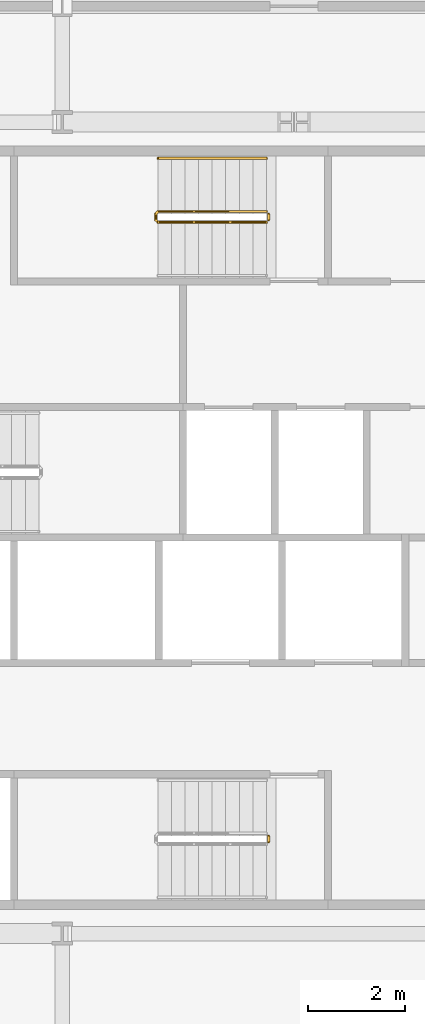
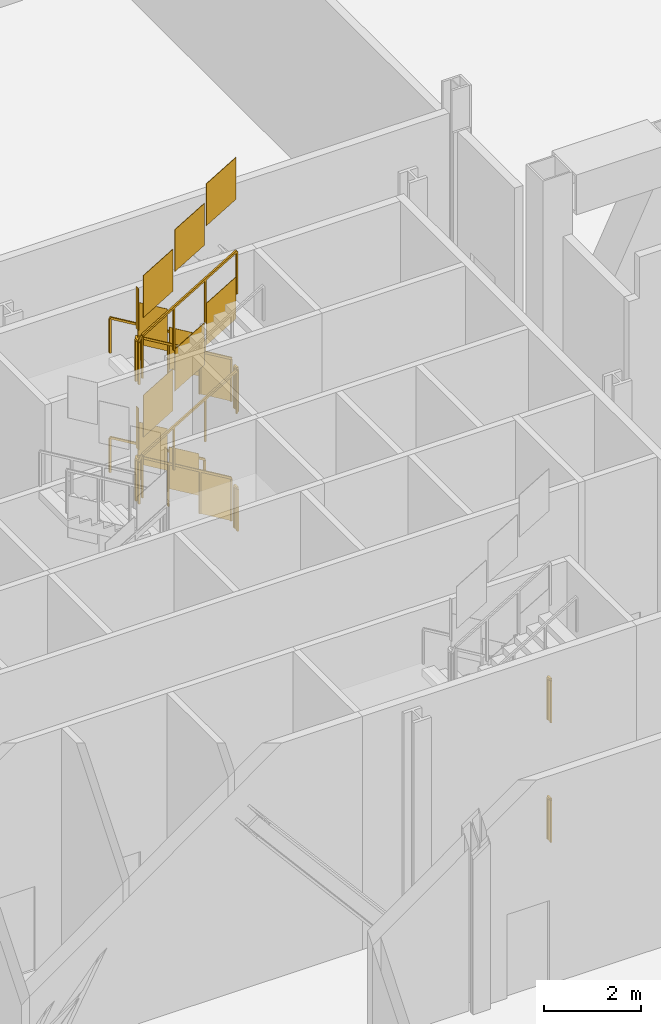
# One storey, part 17 of 17: 8 railings.
"""IFC4 building model written with IfcOpenShell, lengths in metres."""

import ifcopenshell
import ifcopenshell.guid

model = None  # the IFC model being written
_history = None  # IfcOwnerHistory: only IFC2X3 demands one
_inside = {}  # id of a spatial element -> (the spatial element, [elements in it])
_under = {}  # id of a project, library or spatial element -> (it, [spatial elements below it])
_declared = {}  # id of a project -> (the project, [libraries it declares])
_typed = {}  # id of a type object -> (the type object, [elements of that type])
_made_of = {}  # id of a material, layer set ... -> (it, [elements and type objects made of it])


def new_model(schema):
    """Start an empty IFC model of exactly this schema.

    Asked for "IFC4X3", IfcOpenShell would pick the latest addendum, in which some entities
    have other attributes; the version numbers below select the first issue.
    IFC2X3 requires an IfcOwnerHistory on every rooted entity: one is made here for all.
    """
    global model, _history
    if schema == "IFC4X3":
        model = ifcopenshell.file(schema_version=(4, 3, 0, 0))
    else:
        model = ifcopenshell.file(schema=schema)
    _inside.clear()
    _under.clear()
    _declared.clear()
    _typed.clear()
    _made_of.clear()
    _history = None
    if model.schema == "IFC2X3":
        org = make("IfcOrganization", Name="unknown")
        user = make(
            "IfcPersonAndOrganization",
            ThePerson=make("IfcPerson", FamilyName="unknown"),
            TheOrganization=org,
        )
        app = make(
            "IfcApplication",
            ApplicationDeveloper=org,
            Version="unknown",
            ApplicationFullName="unknown",
            ApplicationIdentifier="unknown",
        )
        _history = make(
            "IfcOwnerHistory",
            OwningUser=user,
            OwningApplication=app,
            ChangeAction="ADDED",
            CreationDate=0,
        )
    return model


def make(cls, **values):
    """One entity of the class cls with the attributes given. An attribute that is None is left unset."""
    return model.create_entity(
        cls, **{name: value for name, value in values.items() if value is not None}
    )


def rooted(cls, **values):
    """An entity with a GlobalId (a new one), such as an element, a storey or a relation."""
    return make(cls, GlobalId=ifcopenshell.guid.new(), OwnerHistory=_history, **values)


def si_unit(unit_type, name, prefix=None):
    """IfcSIUnit, for example si_unit("LENGTHUNIT", "METRE", prefix="MILLI")."""
    return make("IfcSIUnit", UnitType=unit_type, Prefix=prefix, Name=name)


def assignment(units):
    """IfcUnitAssignment: the units of a project."""
    return None if units is None else make("IfcUnitAssignment", Units=units)


def point(xyz):
    """IfcCartesianPoint."""
    return None if xyz is None else make("IfcCartesianPoint", Coordinates=xyz)


def direction(xyz):
    """IfcDirection."""
    return None if xyz is None else make("IfcDirection", DirectionRatios=xyz)


def frame(location, z_axis=None, x_axis=None):
    """IfcAxis2Placement3D, a coordinate frame: its origin and axes. An axis left out is left unset."""
    return make(
        "IfcAxis2Placement3D",
        Location=point(location),
        Axis=direction(z_axis),
        RefDirection=direction(x_axis),
    )


def frame_2d(location, x_axis=None):
    """IfcAxis2Placement2D, a coordinate frame in the plane: its origin and x axis."""
    return make(
        "IfcAxis2Placement2D", Location=point(location), RefDirection=direction(x_axis)
    )


def origin():
    """The frame at (0, 0, 0) with its axes left unset."""
    return frame((0.0, 0.0, 0.0))


def origin_2d():
    """The frame at (0, 0) in the plane with its x axis left unset."""
    return frame_2d((0.0, 0.0))


def place(relative_to, where):
    """IfcLocalPlacement: puts the frame where relative to a parent placement (None: the world)."""
    return make(
        "IfcLocalPlacement", PlacementRelTo=relative_to, RelativePlacement=where
    )


def context(
    kind, dimensions, precision=None, world=None, true_north=None, identifier=None
):
    """IfcGeometricRepresentationContext, for example the 3D "Model" context."""
    return make(
        "IfcGeometricRepresentationContext",
        ContextIdentifier=identifier,
        ContextType=kind,
        CoordinateSpaceDimension=dimensions,
        Precision=precision,
        WorldCoordinateSystem=world,
        TrueNorth=true_north,
    )


def subcontext(parent, identifier, kind, view, scale=None):
    """IfcGeometricRepresentationSubContext, for example "Body" below "Model"."""
    return make(
        "IfcGeometricRepresentationSubContext",
        ContextIdentifier=identifier,
        ContextType=kind,
        ParentContext=parent,
        TargetScale=scale,
        TargetView=view,
    )


def project(units=None, contexts=None):
    """IfcProject with its units and contexts."""
    return rooted(
        "IfcProject",
        Name="project",
        RepresentationContexts=contexts,
        UnitsInContext=assignment(units),
    )


def spatial(cls, under=None, at=None, **own):
    """A site, building, storey or space (cls), placed at a placement, below another one or the project."""
    s = rooted(cls, ObjectPlacement=at, **own)
    if under is not None:
        _under.setdefault(under.id(), (under, []))[1].append(s)
    return s


def polyline(points):
    """IfcPolyline through the points."""
    return make("IfcPolyline", Points=[point(p) for p in points])


def profile(cls, at=None, kind="AREA", **sizes):
    """A parametric profile (cls). Its sizes go by their IFC names, for example OverallWidth=200.0."""
    return make(cls, ProfileType=kind, Position=at, **sizes)


def rectangle(**sizes):
    """IfcRectangleProfileDef."""
    return profile("IfcRectangleProfileDef", **sizes)


def outline(outer, holes=None, kind="AREA"):
    """IfcArbitraryClosedProfileDef: a profile drawn as a closed curve; with holes, ...WithVoids."""
    if holes is None:
        return make("IfcArbitraryClosedProfileDef", ProfileType=kind, OuterCurve=outer)
    return make(
        "IfcArbitraryProfileDefWithVoids",
        ProfileType=kind,
        OuterCurve=outer,
        InnerCurves=holes,
    )


def extrude(swept, where, along, depth):
    """IfcExtrudedAreaSolid: the profile swept, set in the frame where, extruded along a direction by depth."""
    return make(
        "IfcExtrudedAreaSolid",
        SweptArea=swept,
        Position=where,
        ExtrudedDirection=direction(along),
        Depth=depth,
    )


def shape(context_of_items, identifier, shape_type, items):
    """IfcShapeRepresentation: the items that make up one representation, for example the "Body"."""
    return make(
        "IfcShapeRepresentation",
        ContextOfItems=context_of_items,
        RepresentationIdentifier=identifier,
        RepresentationType=shape_type,
        Items=items,
    )


def material(Name=None, Category=None):
    """IfcMaterial."""
    return make("IfcMaterial", Name=Name, Category=Category)


def made_of(thing, what):
    """Note that an element or type object is made of a material, layer set ...; save() writes the relation."""
    if what is not None:
        _made_of.setdefault(what.id(), (what, []))[1].append(thing)
    return thing


def type_object(cls, material=None, **own):
    """A type object (cls), such as IfcWallType, which elements share."""
    return made_of(rooted(cls, **own), material)


def element(
    cls,
    number,
    at=None,
    inside=None,
    cuts=None,
    type_object=None,
    material=None,
    context=None,
    identifier="Body",
    shape_type=None,
    held_by="IfcProductDefinitionShape",
    body=None,
    shapes=None,
    **own,
):
    """One element of the class cls, such as IfcWall. Its Tag is "e" and its number.

    at: its placement. inside: the storey or other place that contains it. cuts: it is an
    opening in that element (IfcRelVoidsElement). A single representation is given by context,
    identifier, shape_type and body (its items); several are given by shapes. held_by: the class
    of the entity that holds the representations. save() writes the other relations.
    """
    e = rooted(cls, Tag="e%d" % number, ObjectPlacement=at, **own)
    if body is not None:
        shapes = [shape(context, identifier, shape_type, body)]
    if shapes is not None:
        e.Representation = make(held_by, Representations=shapes)
    if inside is not None:
        _inside.setdefault(inside.id(), (inside, []))[1].append(e)
    if cuts is not None:
        rooted(
            "IfcRelVoidsElement", RelatingBuildingElement=cuts, RelatedOpeningElement=e
        )
    if type_object is not None:
        _typed.setdefault(type_object.id(), (type_object, []))[1].append(e)
    return made_of(e, material)


def aggregate(whole, parts):
    """IfcRelAggregates: a whole, such as a stair, and the parts it consists of."""
    return rooted("IfcRelAggregates", RelatingObject=whole, RelatedObjects=parts)


def save(model, path):
    """Write the relations noted so far, then the file.

    IfcRelAggregates (storeys below a building ...), IfcRelContainedInSpatialStructure (elements
    in a storey), IfcRelDefinesByType, IfcRelAssociatesMaterial and IfcRelDeclares: one each for
    every whole, place, type object, material and project.
    """
    for whole, parts in _under.values():
        aggregate(whole, parts)
    for where, things in _inside.values():
        rooted(
            "IfcRelContainedInSpatialStructure",
            RelatedElements=things,
            RelatingStructure=where,
        )
    for kind, things in _typed.values():
        rooted("IfcRelDefinesByType", RelatedObjects=things, RelatingType=kind)
    for what, things in _made_of.values():
        rooted("IfcRelAssociatesMaterial", RelatedObjects=things, RelatingMaterial=what)
    for by, libraries in _declared.values():
        rooted("IfcRelDeclares", RelatingContext=by, RelatedDefinitions=libraries)
    model.write(path)


model = new_model("IFC4")

# Units and contexts
model_context = context("Model", 3, precision=1e-05, world=origin(), true_north=direction((0.0, 1.0)))
body_context = subcontext(model_context, "Body", "Model", "MODEL_VIEW")
ifc_project = project(units=[si_unit("LENGTHUNIT", "METRE"), si_unit("AREAUNIT", "SQUARE_METRE"), si_unit("VOLUMEUNIT", "CUBIC_METRE"), si_unit("PLANEANGLEUNIT", "RADIAN"), si_unit("MASSUNIT", "GRAM", prefix="KILO")], contexts=[model_context])

# Site, building, storey
site_placement = place(None, origin())
site = spatial("IfcSite", under=ifc_project, at=site_placement, CompositionType="ELEMENT")
building_placement = place(site_placement, origin())
building = spatial("IfcBuilding", under=site, at=building_placement, Name="Cairn Pilgrim Tower", CompositionType="ELEMENT")
storey_placement = place(building_placement, frame((0.0, 0.0, 119.39990234375)))
storey = spatial("IfcBuildingStorey", under=building, at=storey_placement, Name="L29", CompositionType="ELEMENT", Elevation=119.39990234375)

# Railings
ifc_material = material(Name="Painted steel", Category="steel")
railing_type_1 = type_object("IfcRailingType", Name="STAIR GUARD 1100", PredefinedType="GUARDRAIL", material=ifc_material)
for number, where, name in (
    (1, (11.47509765625, -3.97509765625, 3.0), "L29 ST-A stair guard 2"),
    (2, (11.47509765625, -3.97509765625, 0.0), "L29 ST-A stair guard 4"),
):
    element("IfcRailing", number, at=place(storey_placement, frame(where)), inside=storey, type_object=railing_type_1, Name=name, PredefinedType="GUARDRAIL", context=body_context, shape_type="SweptSolid", body=[
        extrude(rectangle(XDim=0.048095703125, YDim=0.048095703125, at=origin_2d()), frame((0.0, 0.0, 1.076171875), z_axis=(0.0, -1.0, 0.0), x_axis=(1.0, 0.0, 0.0)), (0.0, 0.0, 1.0), 0.125),
        extrude(rectangle(XDim=0.0419921875, YDim=0.0419921875, at=origin_2d()), origin(), (0.0, 0.0, 1.0), 1.052001953125),
        extrude(rectangle(XDim=0.0419921875, YDim=0.0419921875, at=origin_2d()), frame((0.0, -0.125, 0.0)), (0.0, 0.0, 1.0), 1.052001953125),
        extrude(outline(polyline([(0.02099609375, 0.0), (0.10400390625, 0.0), (0.10400390625, 1.052001953125), (0.02099609375, 1.052001953125), (0.02099609375, 0.0)])), frame((0.005859375, 0.0, 0.0), z_axis=(-1.0, 0.0, 0.0), x_axis=(0.0, -1.0, 0.0)), (0.0, 0.0, 1.0), 0.011962890625),
    ])
railing_1_placement = place(storey_placement, frame((11.425048828125, 8.949951171875, 0.166748046875)))
element("IfcRailing", 3, at=railing_1_placement, inside=storey, type_object=railing_type_1, Name="L29 ST-C stair guard 1", PredefinedType="GUARDRAIL", context=body_context, shape_type="SweptSolid", body=[
    extrude(rectangle(XDim=0.048095703125, YDim=0.048095703125, at=origin_2d()), frame((0.0, 0.0, 1.076171875), z_axis=(-0.859305625298, 0.0, 0.511462454469), x_axis=(0.0, -1.0, 0.0)), (0.0, 0.0, 1.0), 2.606689453125),
    extrude(rectangle(XDim=0.048095703125, YDim=0.048095703125, at=origin_2d()), frame((-2.239990234375, 0.0, 2.4091796875), z_axis=(-0.707106781187, -0.707106781187, 0.0), x_axis=(0.707106781187, -0.707106781187, 0.0)), (0.0, 0.0, 1.0), 0.07080078125),
    extrude(rectangle(XDim=0.048095703125, YDim=0.048095703125, at=origin_2d()), frame((-2.2900390625, -0.050048828125, 2.4091796875), z_axis=(0.0, -1.0, 0.0), x_axis=(1.0, 0.0, 0.0)), (0.0, 0.0, 1.0), 0.125),
    extrude(rectangle(XDim=0.048095703125, YDim=0.048095703125, at=origin_2d()), frame((-2.2900390625, -0.175048828125, 2.4091796875), z_axis=(0.276389281352, -0.275041040955, 0.920848191041), x_axis=(0.705375805398, 0.708833529934, 0.0)), (0.0, 0.0, 1.0), 0.18115234375),
    extrude(rectangle(XDim=0.048095703125, YDim=0.048095703125, at=origin_2d()), frame((-2.239990234375, -0.224853515625, 2.576171875), z_axis=(0.859305625298, 0.0, 0.511462454469), x_axis=(0.0, 1.0, 0.0)), (0.0, 0.0, 1.0), 2.606689453125),
    extrude(rectangle(XDim=0.0419921875, YDim=0.0419921875, at=origin_2d()), origin(), (0.0, 0.0, 1.0), 1.052001953125),
    extrude(rectangle(XDim=0.0419921875, YDim=0.0419921875, at=origin_2d()), frame((-0.74658203125, 0.0, 0.4443359375)), (0.0, 0.0, 1.0), 1.052001953125),
    extrude(rectangle(XDim=0.0419921875, YDim=0.0419921875, at=origin_2d()), frame((-1.493408203125, 0.0, 0.888916015625)), (0.0, 0.0, 1.0), 1.052001953125),
    extrude(rectangle(XDim=0.0419921875, YDim=0.0419921875, at=origin_2d()), frame((-2.239990234375, 0.0, 1.333251953125)), (0.0, 0.0, 1.0), 1.052001953125),
    extrude(rectangle(XDim=0.0419921875, YDim=0.0419921875, at=origin_2d()), frame((-2.2900390625, -0.050048828125, 1.333251953125)), (0.0, 0.0, 1.0), 1.052001953125),
    extrude(rectangle(XDim=0.0419921875, YDim=0.0419921875, at=origin_2d()), frame((-2.2900390625, -0.175048828125, 1.333251953125)), (0.0, 0.0, 1.0), 1.052001953125),
    extrude(rectangle(XDim=0.0419921875, YDim=0.0419921875, at=origin_2d()), frame((-2.239990234375, -0.224853515625, 1.5)), (0.0, 0.0, 1.0), 1.052001953125),
    extrude(rectangle(XDim=0.0419921875, YDim=0.0419921875, at=origin_2d()), frame((-1.493408203125, -0.224853515625, 1.9443359375)), (0.0, 0.0, 1.0), 1.052001953125),
    extrude(rectangle(XDim=0.0419921875, YDim=0.0419921875, at=origin_2d()), frame((-0.74658203125, -0.224853515625, 2.388916015625)), (0.0, 0.0, 1.0), 1.052001953125),
    extrude(rectangle(XDim=0.0419921875, YDim=0.0419921875, at=origin_2d()), frame((0.0, -0.224853515625, 2.833251953125)), (0.0, 0.0, 1.0), 1.052001953125),
    extrude(outline(polyline([(0.02099609375, 0.012451171875), (0.7255859375, 0.431884765625), (0.7255859375, 1.48388671875), (0.02099609375, 1.064453125), (0.02099609375, 0.012451171875)])), frame((0.0, -0.005859375, 0.0), z_axis=(0.0, 1.0, 0.0), x_axis=(-1.0, 0.0, 0.0)), (0.0, 0.0, 1.0), 0.011962890625),
    extrude(outline(polyline([(0.02099609375, 0.45703125), (0.7255859375, 0.876220703125), (0.7255859375, 1.92822265625), (0.02099609375, 1.509033203125), (0.02099609375, 0.45703125)])), frame((-0.74658203125, -0.005859375, 0.4443359375), z_axis=(0.0, 1.0, 0.0), x_axis=(-1.0, 0.0, 0.0)), (0.0, 0.0, 1.0), 0.011962890625),
    extrude(outline(polyline([(0.02099609375, 0.9013671875), (0.7255859375, 1.32080078125), (0.7255859375, 2.372802734375), (0.02099609375, 1.953369140625), (0.02099609375, 0.9013671875)])), frame((-1.493408203125, -0.005859375, 0.888916015625), z_axis=(0.0, 1.0, 0.0), x_axis=(-1.0, 0.0, 0.0)), (0.0, 0.0, 1.0), 0.011962890625),
    extrude(outline(polyline([(0.02099609375, 1.333251953125), (0.10400390625, 1.333251953125), (0.10400390625, 2.38525390625), (0.02099609375, 2.38525390625), (0.02099609375, 1.333251953125)])), frame((-2.2841796875, -0.050048828125, 1.333251953125), z_axis=(-1.0, 0.0, 0.0), x_axis=(0.0, -1.0, 0.0)), (0.0, 0.0, 1.0), 0.011962890625),
    extrude(outline(polyline([(0.02099609375, 1.512451171875), (0.7255859375, 1.931884765625), (0.7255859375, 2.98388671875), (0.02099609375, 2.564453125), (0.02099609375, 1.512451171875)])), frame((-2.239990234375, -0.21875, 1.5), z_axis=(0.0, -1.0, 0.0), x_axis=(1.0, 0.0, 0.0)), (0.0, 0.0, 1.0), 0.011962890625),
    extrude(outline(polyline([(0.02099609375, 1.95703125), (0.7255859375, 2.376220703125), (0.7255859375, 3.42822265625), (0.02099609375, 3.009033203125), (0.02099609375, 1.95703125)])), frame((-1.493408203125, -0.21875, 1.9443359375), z_axis=(0.0, -1.0, 0.0), x_axis=(1.0, 0.0, 0.0)), (0.0, 0.0, 1.0), 0.011962890625),
    extrude(outline(polyline([(0.02099609375, 2.4013671875), (0.7255859375, 2.82080078125), (0.7255859375, 3.872802734375), (0.02099609375, 3.453369140625), (0.02099609375, 2.4013671875)])), frame((-0.74658203125, -0.21875, 2.388916015625), z_axis=(0.0, -1.0, 0.0), x_axis=(1.0, 0.0, 0.0)), (0.0, 0.0, 1.0), 0.011962890625),
])
railing_2_placement = place(storey_placement, frame((11.47509765625, 8.89990234375, 3.0)))
element("IfcRailing", 4, at=railing_2_placement, inside=storey, type_object=railing_type_1, Name="L29 ST-C stair guard 2", PredefinedType="GUARDRAIL", context=body_context, shape_type="SweptSolid", body=[
    extrude(rectangle(XDim=0.048095703125, YDim=0.048095703125, at=origin_2d()), frame((0.0, 0.0, 1.076171875), z_axis=(0.0, -1.0, 0.0), x_axis=(1.0, 0.0, 0.0)), (0.0, 0.0, 1.0), 0.125),
    extrude(rectangle(XDim=0.0419921875, YDim=0.0419921875, at=origin_2d()), origin(), (0.0, 0.0, 1.0), 1.052001953125),
    extrude(rectangle(XDim=0.0419921875, YDim=0.0419921875, at=origin_2d()), frame((0.0, -0.125, 0.0)), (0.0, 0.0, 1.0), 1.052001953125),
    extrude(outline(polyline([(0.02099609375, 0.0), (0.10400390625, 0.0), (0.10400390625, 1.052001953125), (0.02099609375, 1.052001953125), (0.02099609375, 0.0)])), frame((0.005859375, 0.0, 0.0), z_axis=(-1.0, 0.0, 0.0), x_axis=(0.0, -1.0, 0.0)), (0.0, 0.0, 1.0), 0.011962890625),
])
railing_3_placement = place(storey_placement, frame((11.425048828125, 8.949951171875, 3.166748046875)))
element("IfcRailing", 5, at=railing_3_placement, inside=storey, type_object=railing_type_1, Name="L29 ST-C stair guard 3", PredefinedType="GUARDRAIL", context=body_context, shape_type="SweptSolid", body=[
    extrude(rectangle(XDim=0.048095703125, YDim=0.048095703125, at=origin_2d()), frame((0.0, 0.0, 1.076171875), z_axis=(-0.859305625298, 0.0, 0.511462454469), x_axis=(0.0, -1.0, 0.0)), (0.0, 0.0, 1.0), 2.606689453125),
    extrude(rectangle(XDim=0.048095703125, YDim=0.048095703125, at=origin_2d()), frame((-2.239990234375, 0.0, 2.4091796875), z_axis=(-0.707106781187, -0.707106781187, 0.0), x_axis=(0.707106781187, -0.707106781187, 0.0)), (0.0, 0.0, 1.0), 0.07080078125),
    extrude(rectangle(XDim=0.048095703125, YDim=0.048095703125, at=origin_2d()), frame((-2.2900390625, -0.050048828125, 2.4091796875), z_axis=(0.0, -1.0, 0.0), x_axis=(1.0, 0.0, 0.0)), (0.0, 0.0, 1.0), 0.125),
    extrude(rectangle(XDim=0.048095703125, YDim=0.048095703125, at=origin_2d()), frame((-2.2900390625, -0.175048828125, 2.4091796875), z_axis=(0.276389281352, -0.275041040955, 0.920848191041), x_axis=(0.705375805398, 0.708833529934, 0.0)), (0.0, 0.0, 1.0), 0.18115234375),
    extrude(rectangle(XDim=0.048095703125, YDim=0.048095703125, at=origin_2d()), frame((-2.239990234375, -0.224853515625, 2.576171875), z_axis=(0.859305625298, 0.0, 0.511462454469), x_axis=(0.0, 1.0, 0.0)), (0.0, 0.0, 1.0), 2.606689453125),
    extrude(rectangle(XDim=0.0419921875, YDim=0.0419921875, at=origin_2d()), origin(), (0.0, 0.0, 1.0), 1.052001953125),
    extrude(rectangle(XDim=0.0419921875, YDim=0.0419921875, at=origin_2d()), frame((-0.74658203125, 0.0, 0.4443359375)), (0.0, 0.0, 1.0), 1.052001953125),
    extrude(rectangle(XDim=0.0419921875, YDim=0.0419921875, at=origin_2d()), frame((-1.493408203125, 0.0, 0.888916015625)), (0.0, 0.0, 1.0), 1.052001953125),
    extrude(rectangle(XDim=0.0419921875, YDim=0.0419921875, at=origin_2d()), frame((-2.239990234375, 0.0, 1.333251953125)), (0.0, 0.0, 1.0), 1.052001953125),
    extrude(rectangle(XDim=0.0419921875, YDim=0.0419921875, at=origin_2d()), frame((-2.2900390625, -0.050048828125, 1.333251953125)), (0.0, 0.0, 1.0), 1.052001953125),
    extrude(rectangle(XDim=0.0419921875, YDim=0.0419921875, at=origin_2d()), frame((-2.2900390625, -0.175048828125, 1.333251953125)), (0.0, 0.0, 1.0), 1.052001953125),
    extrude(rectangle(XDim=0.0419921875, YDim=0.0419921875, at=origin_2d()), frame((-2.239990234375, -0.224853515625, 1.5)), (0.0, 0.0, 1.0), 1.052001953125),
    extrude(rectangle(XDim=0.0419921875, YDim=0.0419921875, at=origin_2d()), frame((-1.493408203125, -0.224853515625, 1.9443359375)), (0.0, 0.0, 1.0), 1.052001953125),
    extrude(rectangle(XDim=0.0419921875, YDim=0.0419921875, at=origin_2d()), frame((-0.74658203125, -0.224853515625, 2.388916015625)), (0.0, 0.0, 1.0), 1.052001953125),
    extrude(rectangle(XDim=0.0419921875, YDim=0.0419921875, at=origin_2d()), frame((0.0, -0.224853515625, 2.833251953125)), (0.0, 0.0, 1.0), 1.052001953125),
    extrude(outline(polyline([(0.02099609375, 0.012451171875), (0.7255859375, 0.431884765625), (0.7255859375, 1.48388671875), (0.02099609375, 1.064453125), (0.02099609375, 0.012451171875)])), frame((0.0, -0.005859375, 0.0), z_axis=(0.0, 1.0, 0.0), x_axis=(-1.0, 0.0, 0.0)), (0.0, 0.0, 1.0), 0.011962890625),
    extrude(outline(polyline([(0.02099609375, 0.45703125), (0.7255859375, 0.876220703125), (0.7255859375, 1.92822265625), (0.02099609375, 1.509033203125), (0.02099609375, 0.45703125)])), frame((-0.74658203125, -0.005859375, 0.4443359375), z_axis=(0.0, 1.0, 0.0), x_axis=(-1.0, 0.0, 0.0)), (0.0, 0.0, 1.0), 0.011962890625),
    extrude(outline(polyline([(0.02099609375, 0.9013671875), (0.7255859375, 1.32080078125), (0.7255859375, 2.372802734375), (0.02099609375, 1.953369140625), (0.02099609375, 0.9013671875)])), frame((-1.493408203125, -0.005859375, 0.888916015625), z_axis=(0.0, 1.0, 0.0), x_axis=(-1.0, 0.0, 0.0)), (0.0, 0.0, 1.0), 0.011962890625),
    extrude(outline(polyline([(0.02099609375, 1.333251953125), (0.10400390625, 1.333251953125), (0.10400390625, 2.38525390625), (0.02099609375, 2.38525390625), (0.02099609375, 1.333251953125)])), frame((-2.2841796875, -0.050048828125, 1.333251953125), z_axis=(-1.0, 0.0, 0.0), x_axis=(0.0, -1.0, 0.0)), (0.0, 0.0, 1.0), 0.011962890625),
    extrude(outline(polyline([(0.02099609375, 1.512451171875), (0.7255859375, 1.931884765625), (0.7255859375, 2.98388671875), (0.02099609375, 2.564453125), (0.02099609375, 1.512451171875)])), frame((-2.239990234375, -0.21875, 1.5), z_axis=(0.0, -1.0, 0.0), x_axis=(1.0, 0.0, 0.0)), (0.0, 0.0, 1.0), 0.011962890625),
    extrude(outline(polyline([(0.02099609375, 1.95703125), (0.7255859375, 2.376220703125), (0.7255859375, 3.42822265625), (0.02099609375, 3.009033203125), (0.02099609375, 1.95703125)])), frame((-1.493408203125, -0.21875, 1.9443359375), z_axis=(0.0, -1.0, 0.0), x_axis=(1.0, 0.0, 0.0)), (0.0, 0.0, 1.0), 0.011962890625),
    extrude(outline(polyline([(0.02099609375, 2.4013671875), (0.7255859375, 2.82080078125), (0.7255859375, 3.872802734375), (0.02099609375, 3.453369140625), (0.02099609375, 2.4013671875)])), frame((-0.74658203125, -0.21875, 2.388916015625), z_axis=(0.0, -1.0, 0.0), x_axis=(1.0, 0.0, 0.0)), (0.0, 0.0, 1.0), 0.011962890625),
])
railing_4_placement = place(storey_placement, frame((11.47509765625, 8.89990234375, 0.0)))
element("IfcRailing", 6, at=railing_4_placement, inside=storey, type_object=railing_type_1, Name="L29 ST-C stair guard 4", PredefinedType="GUARDRAIL", context=body_context, shape_type="SweptSolid", body=[
    extrude(rectangle(XDim=0.048095703125, YDim=0.048095703125, at=origin_2d()), frame((0.0, 0.0, 1.076171875), z_axis=(0.0, -1.0, 0.0), x_axis=(1.0, 0.0, 0.0)), (0.0, 0.0, 1.0), 0.125),
    extrude(rectangle(XDim=0.0419921875, YDim=0.0419921875, at=origin_2d()), origin(), (0.0, 0.0, 1.0), 1.052001953125),
    extrude(rectangle(XDim=0.0419921875, YDim=0.0419921875, at=origin_2d()), frame((0.0, -0.125, 0.0)), (0.0, 0.0, 1.0), 1.052001953125),
    extrude(outline(polyline([(0.02099609375, 0.0), (0.10400390625, 0.0), (0.10400390625, 1.052001953125), (0.02099609375, 1.052001953125), (0.02099609375, 0.0)])), frame((0.005859375, 0.0, 0.0), z_axis=(-1.0, 0.0, 0.0), x_axis=(0.0, -1.0, 0.0)), (0.0, 0.0, 1.0), 0.011962890625),
])
railing_type_2 = type_object("IfcRailingType", Name="STAIR HANDRAIL 900", PredefinedType="HANDRAIL", material=ifc_material)
for number, where, name in (
    (7, (11.425048828125, 10.050048828125, 0.166748046875), "L29 ST-C stair handrail 1"),
    (8, (11.425048828125, 10.050048828125, 3.166748046875), "L29 ST-C stair handrail 3"),
):
    element("IfcRailing", number, at=place(storey_placement, frame(where)), inside=storey, type_object=railing_type_2, Name=name, PredefinedType="HANDRAIL", context=body_context, shape_type="SweptSolid", body=[
        extrude(rectangle(XDim=0.048095703125, YDim=0.048095703125, at=origin_2d()), frame((0.0, 0.0, 0.8759765625), z_axis=(-0.859305625298, 0.0, 0.511462454469), x_axis=(0.0, -1.0, 0.0)), (0.0, 0.0, 1.0), 2.606689453125),
        extrude(rectangle(XDim=0.0419921875, YDim=0.0419921875, at=origin_2d()), origin(), (0.0, 0.0, 1.0), 0.851806640625),
        extrude(rectangle(XDim=0.0419921875, YDim=0.0419921875, at=origin_2d()), frame((-0.74658203125, 0.0, 0.4443359375)), (0.0, 0.0, 1.0), 0.851806640625),
        extrude(rectangle(XDim=0.0419921875, YDim=0.0419921875, at=origin_2d()), frame((-1.493408203125, 0.0, 0.888916015625)), (0.0, 0.0, 1.0), 0.851806640625),
        extrude(rectangle(XDim=0.0419921875, YDim=0.0419921875, at=origin_2d()), frame((-2.239990234375, 0.0, 1.333251953125)), (0.0, 0.0, 1.0), 0.851806640625),
    ])

save(model, "model.ifc")
